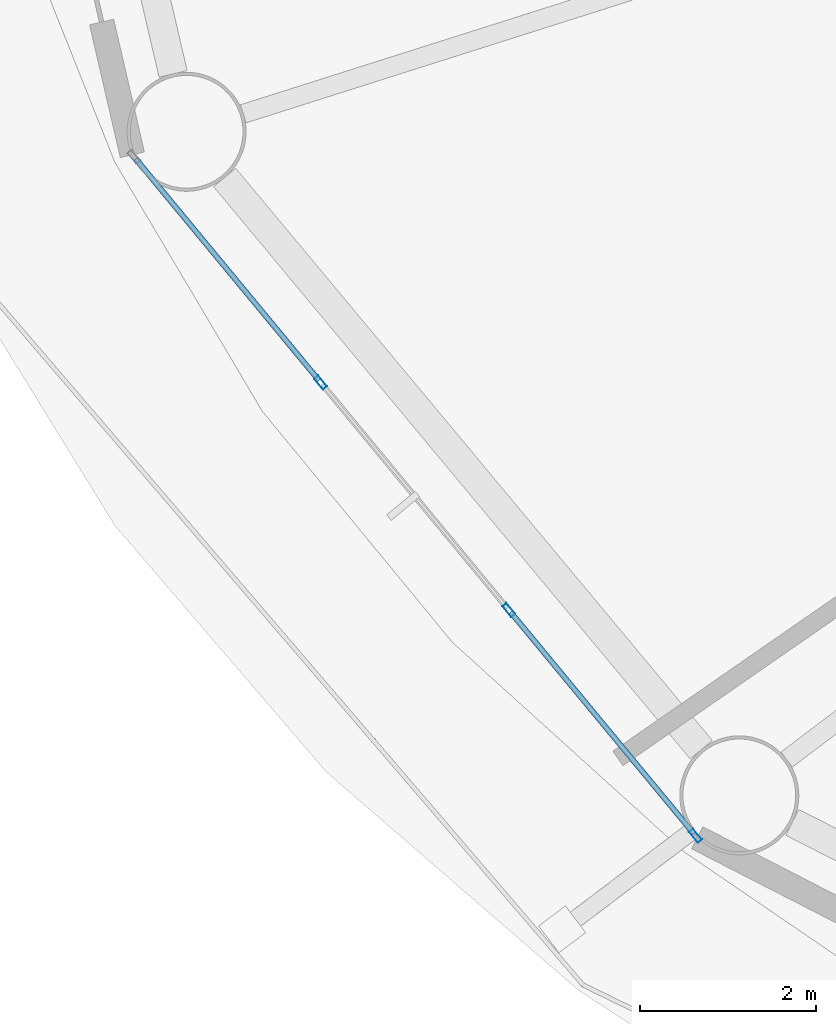
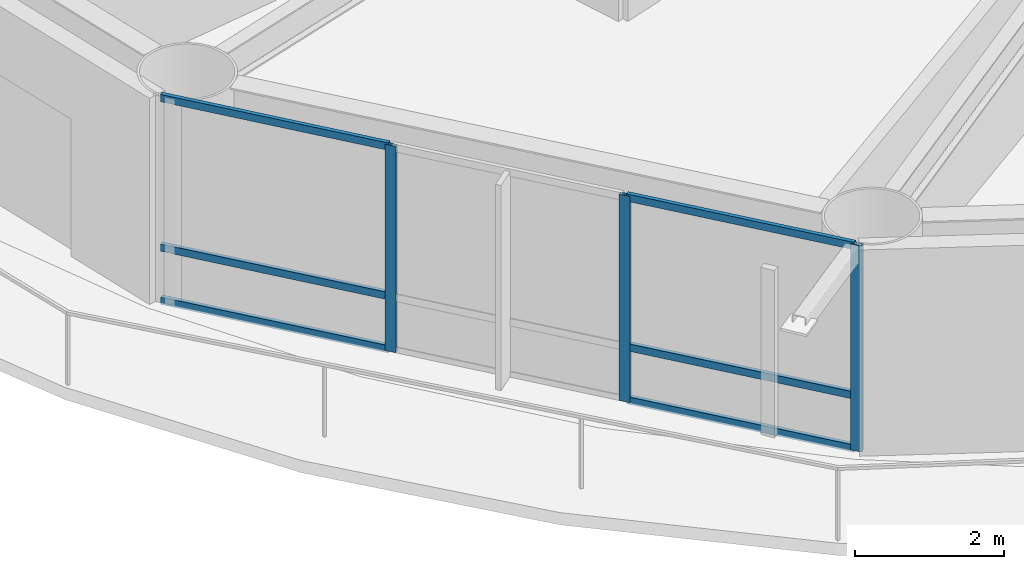
# One storey, part 2 of 26: 9 members, 1 element without a shape of its own.
"""IFC4 building model written with IfcOpenShell, lengths in metres."""

from ifc_helpers import new_model, si_unit, direction, frame, origin, origin_2d, place, context, subcontext, project, spatial, hollow_rectangle, extrude, material, layer, layer_set, material_profile, profile_set, type_object, element, aggregate, save


model = new_model("IFC4")

# Units and contexts
model_context = context("Model", 3, precision=1e-05, world=origin(), true_north=direction((0.0, 1.0)))
body_context = subcontext(model_context, "Body", "Model", "MODEL_VIEW")
ifc_project = project(units=[si_unit("LENGTHUNIT", "METRE"), si_unit("AREAUNIT", "SQUARE_METRE"), si_unit("VOLUMEUNIT", "CUBIC_METRE"), si_unit("PLANEANGLEUNIT", "RADIAN"), si_unit("MASSUNIT", "GRAM", prefix="KILO")], contexts=[model_context])

# Site, building, storey
site_placement = place(None, origin())
site = spatial("IfcSite", under=ifc_project, at=site_placement, CompositionType="ELEMENT")
building_placement = place(site_placement, origin())
building = spatial("IfcBuilding", under=site, at=building_placement, Name="Sarneth Arch Tower", CompositionType="ELEMENT")
storey_placement = place(building_placement, frame((0.0, 0.0, 60.60009765625)))
storey = spatial("IfcBuildingStorey", under=building, at=storey_placement, Name="L14", CompositionType="ELEMENT", Elevation=60.60009765625)

# Curtain wall, members
ifc_material_1 = material(Name="Anodised aluminium Type AA25 and solar-control low-e laminated IGU", Category="aluminium")
ifc_layer = layer(ifc_material_1, 0.159912109375)
ifc_layer_set = layer_set([ifc_layer], Name="Anodised aluminium Type AA25 and solar-control low-e laminated IGU")
curtain_wall_type = type_object("IfcCurtainWallType", Name="CW-HOTEL-LOW", PredefinedType="NOTDEFINED", material=ifc_layer_set)
curtain_wall_placement = place(storey_placement, origin())
curtain_wall = element("IfcCurtainWall", 1, at=curtain_wall_placement, inside=storey, type_object=curtain_wall_type, Name="L14 Unitised curtain wall facet 10", PredefinedType="NOTDEFINED")
ifc_material_2 = material(Name="Anodised Aluminium 6063-T6", Category="aluminium")
ifc_material_profile_1 = material_profile(ifc_material_2, hollow_rectangle(XDim=0.06005859375, YDim=0.159912109375, WallThickness=0.00390625, at=origin_2d()), Name="AL-MULL-160x60x4")
ifc_profile_set_1 = profile_set([ifc_material_profile_1], Name="Anodised Aluminium 6063-T6")
member_type_1 = type_object("IfcMemberType", Name="CW-MULLION", PredefinedType="MULLION", material=ifc_profile_set_1)
member_1_placement = place(storey_placement, frame((21.5546875, 30.279052734375, 0.0), z_axis=(0.0, 0.0, 1.0), x_axis=(0.770622960278, 0.637291340827, 0.0)))
member_1 = element("IfcMember", 2, at=member_1_placement, type_object=member_type_1, Name="CW-SYS-3 mullion 2", PredefinedType="MULLION", context=body_context, shape_type="SweptSolid", body=[
    extrude(hollow_rectangle(XDim=0.06005859375, YDim=0.159912109375, WallThickness=0.00390625, at=origin_2d()), origin(), (0.0, 0.0, 1.0), 3.3798828125),
])
member_2_placement = place(storey_placement, frame((23.690185546875, 27.69677734375, 0.0), z_axis=(0.0, 0.0, 1.0), x_axis=(0.770622960278, 0.637291340827, 0.0)))
member_2 = element("IfcMember", 3, at=member_2_placement, type_object=member_type_1, Name="CW-SYS-3 mullion 3", PredefinedType="MULLION", context=body_context, shape_type="SweptSolid", body=[
    extrude(hollow_rectangle(XDim=0.06005859375, YDim=0.159912109375, WallThickness=0.00390625, at=origin_2d()), origin(), (0.0, 0.0, 1.0), 3.3798828125),
])
member_3_placement = place(storey_placement, frame((25.806640625, 25.137451171875, 0.0), z_axis=(0.0, 0.0, 1.0), x_axis=(0.770622960278, 0.637291340827, 0.0)))
member_3 = element("IfcMember", 4, at=member_3_placement, type_object=member_type_1, Name="CW-SYS-3 mullion 4", PredefinedType="MULLION", context=body_context, shape_type="SweptSolid", body=[
    extrude(hollow_rectangle(XDim=0.06005859375, YDim=0.159912109375, WallThickness=0.00390625, at=origin_2d()), origin(), (0.0, 0.0, 1.0), 3.3798828125),
])
ifc_material_3 = material(Name="Anodised Aluminium 6063-T6", Category="aluminium")
ifc_material_profile_2 = material_profile(ifc_material_3, hollow_rectangle(XDim=0.06005859375, YDim=0.1201171875, WallThickness=0.00390625, at=origin_2d()), Name="AL-TRAN-120x60x4")
ifc_profile_set_2 = profile_set([ifc_material_profile_2], Name="Anodised Aluminium 6063-T6")
member_type_2 = type_object("IfcMemberType", Name="CW-TRANSOM", PredefinedType="USERDEFINED", material=ifc_profile_set_2)
member_4_placement = place(storey_placement, frame((19.457275390625, 32.815185546875, 0.02978515625), z_axis=(0.63733019572, -0.77059082633, 0.0), x_axis=(0.77059082633, 0.63733019572, 0.0)))
member_4 = element("IfcMember", 5, at=member_4_placement, type_object=member_type_2, Name="CW-SYS-3 transom 1.1", ObjectType="TRANSOM", PredefinedType="USERDEFINED", context=body_context, shape_type="SweptSolid", body=[
    extrude(hollow_rectangle(XDim=0.06005859375, YDim=0.1201171875, WallThickness=0.00390625, at=origin_2d()), origin(), (0.0, 0.0, 1.0), 3.260986328125),
])
member_5_placement = place(storey_placement, frame((19.457275390625, 32.815185546875, 0.89990234375), z_axis=(0.63733019572, -0.77059082633, 0.0), x_axis=(0.77059082633, 0.63733019572, 0.0)))
member_5 = element("IfcMember", 6, at=member_5_placement, type_object=member_type_2, Name="CW-SYS-3 transom 1.2", ObjectType="TRANSOM", PredefinedType="USERDEFINED", context=body_context, shape_type="SweptSolid", body=[
    extrude(hollow_rectangle(XDim=0.06005859375, YDim=0.1201171875, WallThickness=0.00390625, at=origin_2d()), origin(), (0.0, 0.0, 1.0), 3.260986328125),
])
member_6_placement = place(storey_placement, frame((19.457275390625, 32.815185546875, 3.349853515625), z_axis=(0.63733019572, -0.77059082633, 0.0), x_axis=(0.77059082633, 0.63733019572, 0.0)))
member_6 = element("IfcMember", 7, at=member_6_placement, type_object=member_type_2, Name="CW-SYS-3 transom 1.3", ObjectType="TRANSOM", PredefinedType="USERDEFINED", context=body_context, shape_type="SweptSolid", body=[
    extrude(hollow_rectangle(XDim=0.06005859375, YDim=0.1201171875, WallThickness=0.00390625, at=origin_2d()), origin(), (0.0, 0.0, 1.0), 3.260986328125),
])
member_7_placement = place(storey_placement, frame((23.70947265625, 27.673583984375, 0.02978515625), z_axis=(0.637285736625, -0.770627594817, 0.0), x_axis=(0.770627594817, 0.637285736625, 0.0)))
member_7 = element("IfcMember", 8, at=member_7_placement, type_object=member_type_2, Name="CW-SYS-3 transom 3.1", ObjectType="TRANSOM", PredefinedType="USERDEFINED", context=body_context, shape_type="SweptSolid", body=[
    extrude(hollow_rectangle(XDim=0.06005859375, YDim=0.1201171875, WallThickness=0.00390625, at=origin_2d()), origin(), (0.0, 0.0, 1.0), 3.260986328125),
])
member_8_placement = place(storey_placement, frame((23.70947265625, 27.673583984375, 0.89990234375), z_axis=(0.637285736625, -0.770627594817, 0.0), x_axis=(0.770627594817, 0.637285736625, 0.0)))
member_8 = element("IfcMember", 9, at=member_8_placement, type_object=member_type_2, Name="CW-SYS-3 transom 3.2", ObjectType="TRANSOM", PredefinedType="USERDEFINED", context=body_context, shape_type="SweptSolid", body=[
    extrude(hollow_rectangle(XDim=0.06005859375, YDim=0.1201171875, WallThickness=0.00390625, at=origin_2d()), origin(), (0.0, 0.0, 1.0), 3.260986328125),
])
member_9_placement = place(storey_placement, frame((23.70947265625, 27.673583984375, 3.349853515625), z_axis=(0.637285736625, -0.770627594817, 0.0), x_axis=(0.770627594817, 0.637285736625, 0.0)))
member_9 = element("IfcMember", 10, at=member_9_placement, type_object=member_type_2, Name="CW-SYS-3 transom 3.3", ObjectType="TRANSOM", PredefinedType="USERDEFINED", context=body_context, shape_type="SweptSolid", body=[
    extrude(hollow_rectangle(XDim=0.06005859375, YDim=0.1201171875, WallThickness=0.00390625, at=origin_2d()), origin(), (0.0, 0.0, 1.0), 3.260986328125),
])
aggregate(curtain_wall, [member_1, member_2, member_3, member_4, member_5, member_6, member_7, member_8, member_9])

save(model, "model.ifc")
